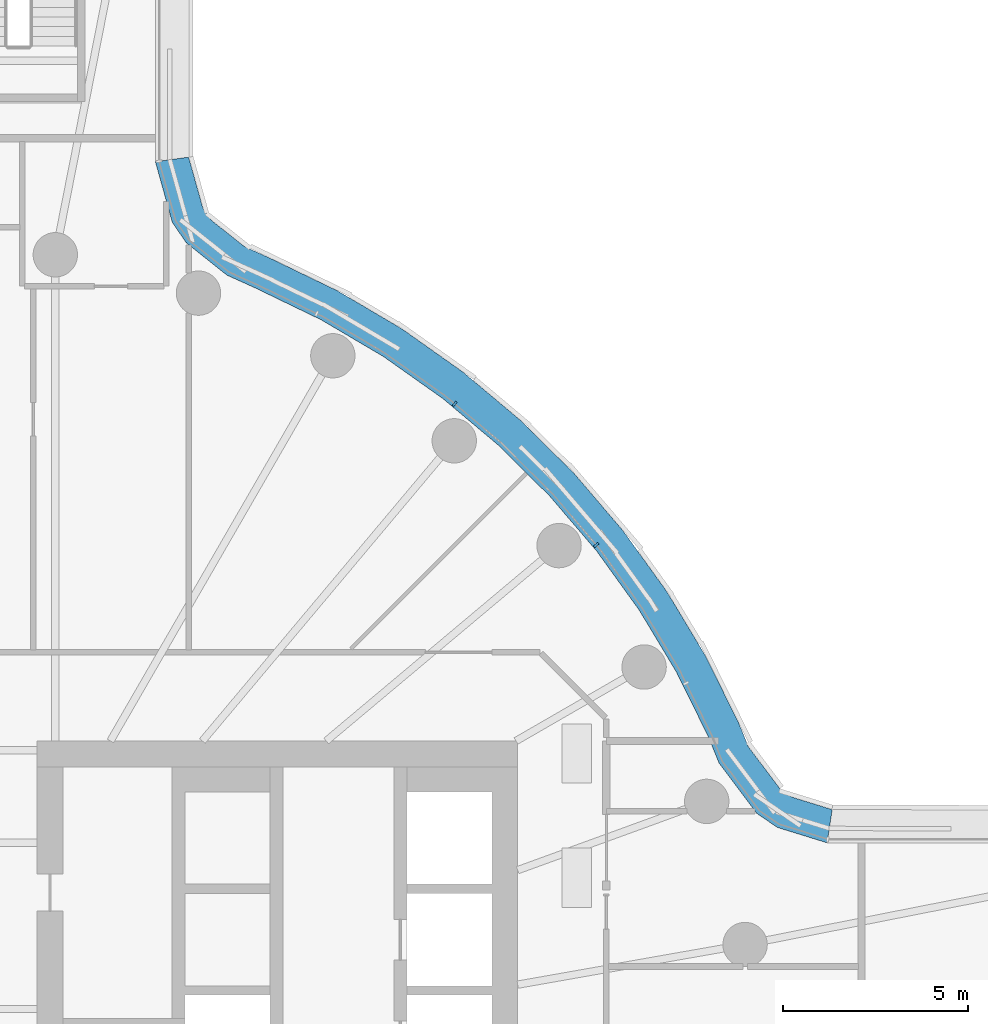
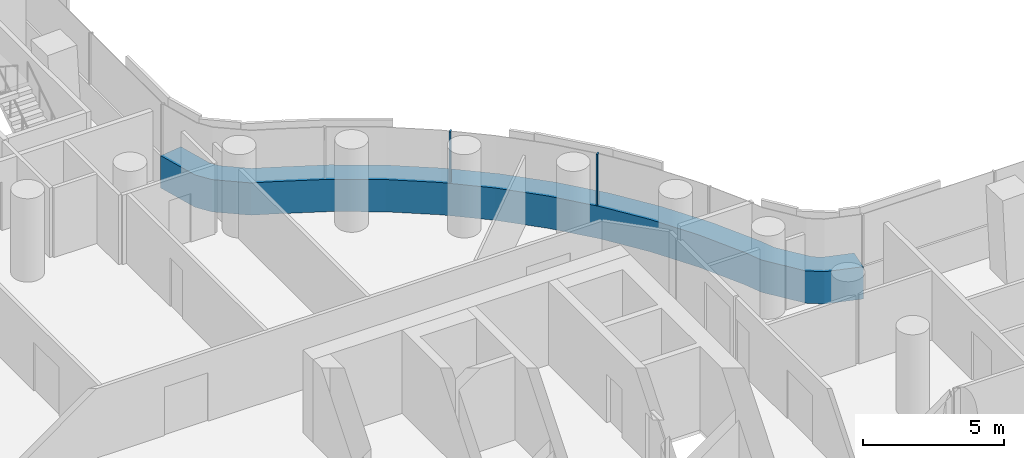
# One storey, part 16 of 32: 3 members, 1 element without a shape of its own.
"""IFC4 building model written with IfcOpenShell, lengths in metres."""

from ifc_helpers import new_model, si_unit, direction, frame, origin, origin_2d, place, context, subcontext, project, spatial, polyline, rectangle, outline, extrude, material, layer, layer_set, material_profile, profile_set, type_object, element, aggregate, save


model = new_model("IFC4")

# Units and contexts
model_context = context("Model", 3, precision=1e-05, world=origin(), true_north=direction((0.0, 1.0)))
body_context = subcontext(model_context, "Body", "Model", "MODEL_VIEW")
ifc_project = project(units=[si_unit("LENGTHUNIT", "METRE"), si_unit("AREAUNIT", "SQUARE_METRE"), si_unit("VOLUMEUNIT", "CUBIC_METRE"), si_unit("PLANEANGLEUNIT", "RADIAN"), si_unit("MASSUNIT", "GRAM", prefix="KILO")], contexts=[model_context])

# Site, building, storey
site_placement = place(None, origin())
site = spatial("IfcSite", under=ifc_project, at=site_placement, CompositionType="ELEMENT")
building_placement = place(site_placement, origin())
building = spatial("IfcBuilding", under=site, at=building_placement, Name="Tamarind Cross Interchange Tower", CompositionType="ELEMENT")
storey_placement = place(building_placement, frame((0.0, 0.0, 34.0)))
storey = spatial("IfcBuildingStorey", under=building, at=storey_placement, Name="L06", CompositionType="ELEMENT", Elevation=34.0)

# Curtain wall, members
ifc_material_1 = material(Name="Aluminium 6063-T6", Category="aluminium")
ifc_layer = layer(ifc_material_1, 0.14990234375)
ifc_layer_set = layer_set([ifc_layer], Name="Aluminium 6063-T6")
curtain_wall_type = type_object("IfcCurtainWallType", Name="Winter garden and crown curtain wall", PredefinedType="NOTDEFINED", material=ifc_layer_set)
curtain_wall_placement = place(storey_placement, origin())
curtain_wall = element("IfcCurtainWall", 1, at=curtain_wall_placement, inside=storey, type_object=curtain_wall_type, Name="CWS-L06-11", PredefinedType="NOTDEFINED")
ifc_material_2 = material(Name="Aluminium and insulated spandrel panel", Category="aluminium")
member_type_1 = type_object("IfcMemberType", Name="Floor-edge blade transom", PredefinedType="USERDEFINED", material=ifc_material_2)
member_1_placement = place(storey_placement, origin())
member_1 = element("IfcMember", 2, at=member_1_placement, type_object=member_type_1, Name="CWT-L06-11", ObjectType="TRANSOM", PredefinedType="USERDEFINED", context=body_context, shape_type="SweptSolid", body=[
    extrude(outline(polyline([(24.86962890625, 6.744384765625), (23.52294921875, 7.16064453125), (22.96826171875, 7.53955078125), (21.94580078125, 8.900634765625), (21.6591796875, 9.61083984375), (20.791015625, 11.367431640625), (19.78125, 13.045654296875), (18.636474609375, 14.634521484375), (17.3642578125, 16.12353515625), (15.973388671875, 17.50244140625), (14.4736328125, 18.76171875), (12.874755859375, 19.892822265625), (11.188232421875, 20.88818359375), (9.417236328125, 21.744384765625), (8.63427734375, 22.099365234375), (7.537109375, 22.9716796875), (7.158203125, 23.5263671875), (6.699951171875, 25.167724609375), (7.60009765625, 25.291015625), (7.985107421875, 23.911376953125), (8.20361328125, 23.591552734375), (9.107421875, 22.873046875), (9.798828125, 22.5595703125), (11.613525390625, 21.68212890625), (13.3642578125, 20.64892578125), (15.023681640625, 19.474853515625), (16.580810546875, 18.167724609375), (18.0244140625, 16.736572265625), (19.344970703125, 15.19091796875), (20.533203125, 13.54150390625), (21.581298828125, 11.799560546875), (22.481201171875, 9.97900390625), (22.736328125, 9.346923828125), (23.5986328125, 8.19873046875), (23.91845703125, 7.980224609375), (25.00634765625, 7.64404296875), (24.86962890625, 6.744384765625)])), origin(), (0.0, 0.0, 1.0), 1.39990234375),
])
ifc_material_profile = material_profile(ifc_material_1, rectangle(XDim=0.06005859375, YDim=0.14990234375, at=origin_2d()), Name="Mullion CW6")
ifc_profile_set = profile_set([ifc_material_profile], Name="Aluminium 6063-T6")
member_type_2 = type_object("IfcMemberType", Name="Mullion CW6", PredefinedType="MULLION", material=ifc_profile_set)
member_2_placement = place(storey_placement, frame((18.625244140625, 14.8017578125, 1.39990234375), z_axis=(0.0, 0.0, 1.0), x_axis=(-0.64957723968, 0.760295606781, 0.0)))
member_2 = element("IfcMember", 3, at=member_2_placement, type_object=member_type_2, Name="CWM-L06-11-02", PredefinedType="MULLION", context=body_context, shape_type="SweptSolid", body=[
    extrude(rectangle(XDim=0.06005859375, YDim=0.14990234375, at=origin_2d()), origin(), (0.0, 0.0, 1.0), 2.210205078125),
])
member_3_placement = place(storey_placement, frame((14.797607421875, 18.6201171875, 1.39990234375), z_axis=(0.0, 0.0, 1.0), x_axis=(-0.765858396687, 0.643009266048, 0.0)))
member_3 = element("IfcMember", 4, at=member_3_placement, type_object=member_type_2, Name="CWM-L06-11-03", PredefinedType="MULLION", context=body_context, shape_type="SweptSolid", body=[
    extrude(rectangle(XDim=0.06005859375, YDim=0.14990234375, at=origin_2d()), origin(), (0.0, 0.0, 1.0), 2.210205078125),
])
aggregate(curtain_wall, [member_2, member_3, member_1])

save(model, "model.ifc")
